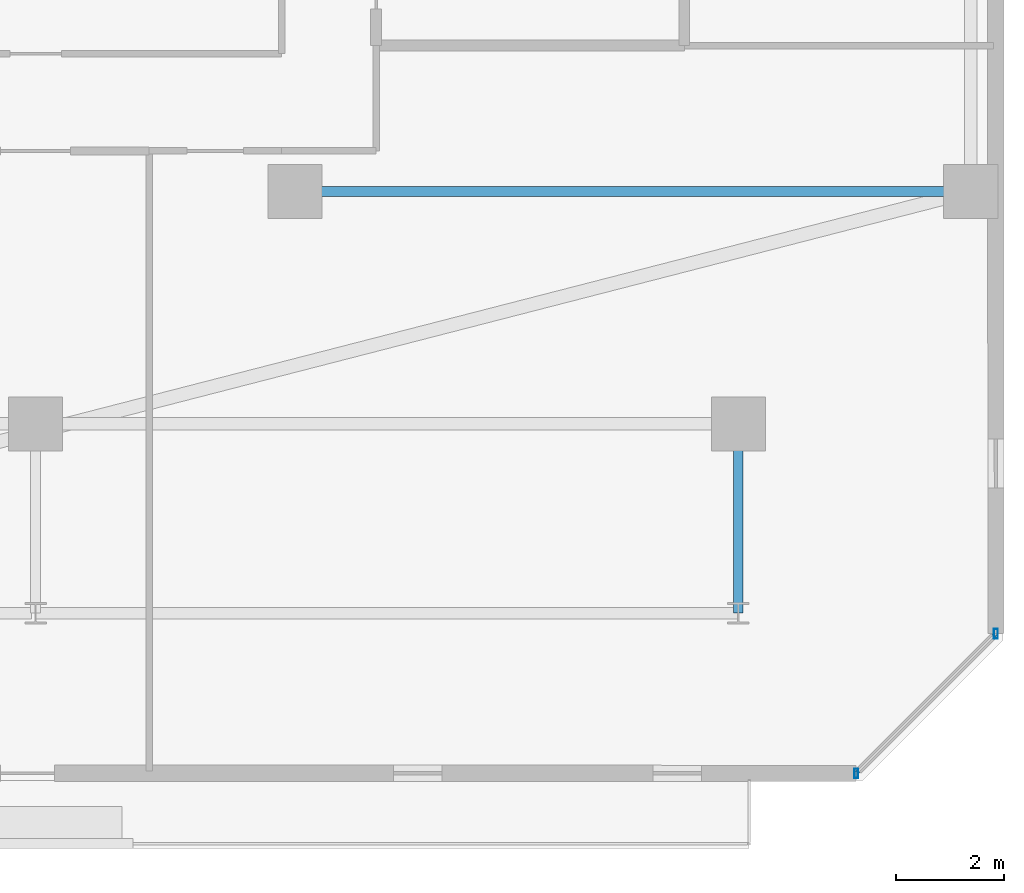
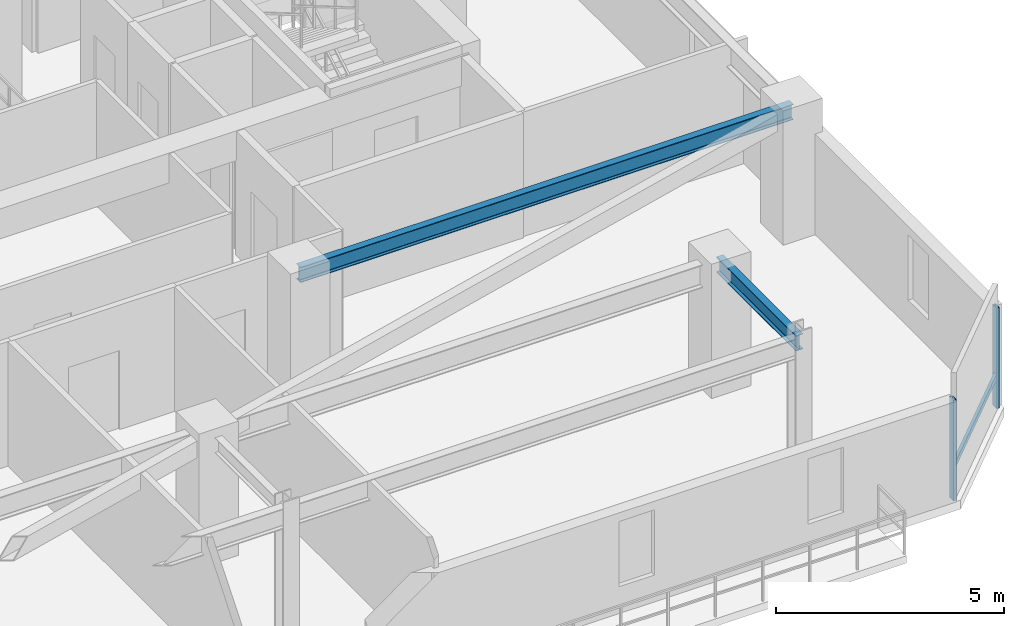
# One storey, part 13 of 33: 3 members, 2 beams, 1 element without a shape of its own.
"""IFC4 building model written with IfcOpenShell, lengths in metres."""

from ifc_helpers import new_model, si_unit, direction, frame, origin, origin_2d, place, context, subcontext, project, spatial, hollow_rectangle, i_section, extrude, material, material_profile, profile_set, type_object, element, aggregate, save


model = new_model("IFC4")

# Units and contexts
model_context = context("Model", 3, precision=1e-05, world=origin(), true_north=direction((0.0, 1.0)))
body_context = subcontext(model_context, "Body", "Model", "MODEL_VIEW")
ifc_project = project(units=[si_unit("LENGTHUNIT", "METRE"), si_unit("AREAUNIT", "SQUARE_METRE"), si_unit("VOLUMEUNIT", "CUBIC_METRE"), si_unit("PLANEANGLEUNIT", "RADIAN"), si_unit("MASSUNIT", "GRAM", prefix="KILO")], contexts=[model_context])

# Site, building, storey
site_placement = place(None, origin())
site = spatial("IfcSite", under=ifc_project, at=site_placement, CompositionType="ELEMENT")
building_placement = place(site_placement, origin())
building = spatial("IfcBuilding", under=site, at=building_placement, Name="Thornwick Lancets Civic Towers", CompositionType="ELEMENT")
storey_placement = place(building_placement, frame((0.0, 0.0, 207.300048828125)))
storey = spatial("IfcBuildingStorey", under=building, at=storey_placement, Name="L55", CompositionType="ELEMENT", Elevation=207.300048828125)

# Beams
ifc_material_1 = material(Name="Steel S355JR", Category="steel")
ifc_material_profile_1 = material_profile(ifc_material_1, i_section(OverallWidth=0.179443359375, OverallDepth=0.412841796875, WebThickness=0.009521484375, FlangeThickness=0.01611328125, FilletRadius=0.01025390625, at=origin_2d()), Name="UKB 406x178x74")
ifc_profile_set_1 = profile_set([ifc_material_profile_1], Name="Steel S355JR")
beam_type = type_object("IfcBeamType", Name="BM_JOIST_406_74", PredefinedType="JOIST", material=ifc_profile_set_1)
beam_1_placement = place(storey_placement, frame((93.300048828125, 14.0, 3.153564453125), z_axis=(1.0, 0.0, 0.0), x_axis=(0.0, 1.0, 0.0)))
element("IfcBeam", 1, at=beam_1_placement, inside=storey, type_object=beam_type, Name="BM-RADIN-L55-B01", PredefinedType="JOIST", context=body_context, shape_type="SweptSolid", body=[
    extrude(i_section(OverallWidth=0.179443359375, OverallDepth=0.412841796875, WebThickness=0.009521484375, FlangeThickness=0.01611328125, FilletRadius=0.01025390625, at=origin_2d()), origin(), (0.0, 0.0, 1.0), 12.5),
])
beam_2_placement = place(storey_placement, frame((101.5, 9.699951171875, 3.153564453125), z_axis=(0.0, -1.0, 0.0), x_axis=(1.0, 0.0, 0.0)))
element("IfcBeam", 2, at=beam_2_placement, inside=storey, type_object=beam_type, Name="BM-RAD-L55-B10", PredefinedType="JOIST", context=body_context, shape_type="SweptSolid", body=[
    extrude(i_section(OverallWidth=0.179443359375, OverallDepth=0.412841796875, WebThickness=0.009521484375, FlangeThickness=0.01611328125, FilletRadius=0.01025390625, at=origin_2d()), origin(), (0.0, 0.0, 1.0), 3.5),
])

# Curtain wall, members
ifc_material_2 = material(Name="High-zone chamfered-corner unitised glass curtain wall", Category="glass")
curtain_wall_type = type_object("IfcCurtainWallType", Name="CW_SYS_05", PredefinedType="NOTDEFINED", material=ifc_material_2)
curtain_wall_placement = place(storey_placement, origin())
curtain_wall = element("IfcCurtainWall", 3, at=curtain_wall_placement, inside=storey, type_object=curtain_wall_type, Name="L55 Curtain Wall CW-L55-B-E1", PredefinedType="NOTDEFINED")
ifc_material_3 = material(Name="Thermally broken bronze aluminium S355", Category="steel")
ifc_material_profile_2 = material_profile(ifc_material_3, hollow_rectangle(XDim=0.074951171875, YDim=0.179931640625, WallThickness=0.006103515625, at=origin_2d()), Name="RHS 180x75x6")
ifc_profile_set_2 = profile_set([ifc_material_profile_2], Name="Thermally broken bronze aluminium S355")
member_type_1 = type_object("IfcMemberType", Name="CW_MUL_180", PredefinedType="MULLION", material=ifc_profile_set_2)
member_1_placement = place(storey_placement, frame((103.681396484375, 3.2353515625, 0.0), z_axis=(0.0, 0.0, 1.0), x_axis=(1.0, 0.0, 0.0)))
member_1 = element("IfcMember", 4, at=member_1_placement, type_object=member_type_1, Name="CW-L55-B-E1 Mullion 0", PredefinedType="MULLION", context=body_context, shape_type="SweptSolid", body=[
    extrude(hollow_rectangle(XDim=0.074951171875, YDim=0.179931640625, WallThickness=0.006103515625, at=origin_2d()), origin(), (0.0, 0.0, 1.0), 2.699951171875),
])
member_2_placement = place(storey_placement, frame((106.2646484375, 5.818603515625, 0.0), z_axis=(0.0, 0.0, 1.0), x_axis=(1.0, 0.0, 0.0)))
member_2 = element("IfcMember", 5, at=member_2_placement, type_object=member_type_1, Name="CW-L55-B-E1 Mullion 1", PredefinedType="MULLION", context=body_context, shape_type="SweptSolid", body=[
    extrude(hollow_rectangle(XDim=0.074951171875, YDim=0.179931640625, WallThickness=0.006103515625, at=origin_2d()), origin(), (0.0, 0.0, 1.0), 2.699951171875),
])
ifc_material_profile_3 = material_profile(ifc_material_3, hollow_rectangle(XDim=0.074951171875, YDim=0.14990234375, WallThickness=0.0048828125, at=origin_2d()), Name="RHS 150x75x5")
ifc_profile_set_3 = profile_set([ifc_material_profile_3], Name="Thermally broken bronze aluminium S355")
member_type_2 = type_object("IfcMemberType", Name="CW_TRN_150", PredefinedType="USERDEFINED", material=ifc_profile_set_3)
member_3_placement = place(storey_placement, frame((103.695556640625, 3.24951171875, 0.849853515625), z_axis=(0.707106781187, 0.707106781187, 0.0), x_axis=(-0.707106781187, 0.707106781187, 0.0)))
member_3 = element("IfcMember", 6, at=member_3_placement, type_object=member_type_2, Name="CW-L55-B-E1 Transom 0", ObjectType="TRANSOM", PredefinedType="USERDEFINED", context=body_context, shape_type="SweptSolid", body=[
    extrude(hollow_rectangle(XDim=0.074951171875, YDim=0.14990234375, WallThickness=0.0048828125, at=origin_2d()), origin(), (0.0, 0.0, 1.0), 3.61328125),
])
aggregate(curtain_wall, [member_1, member_2, member_3])

save(model, "model.ifc")
